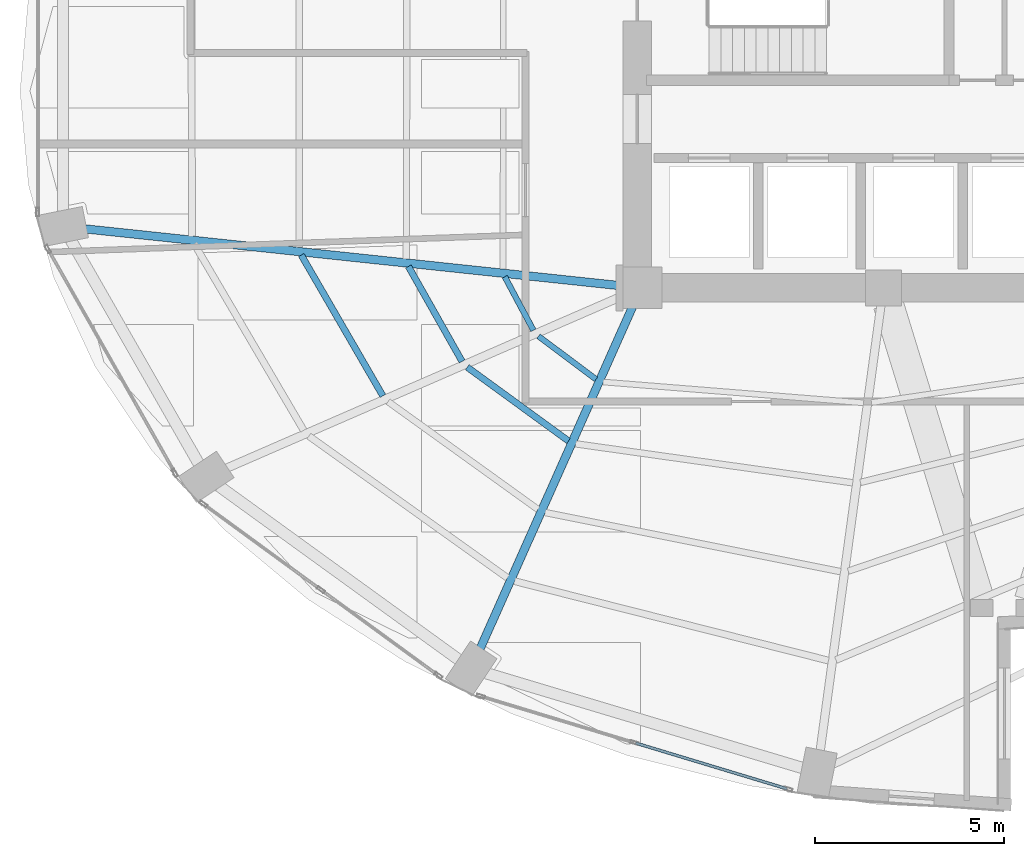
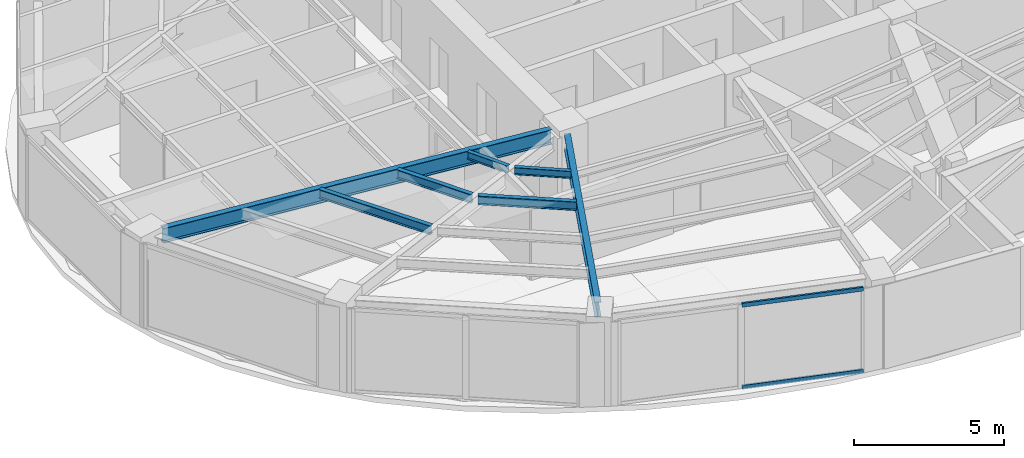
# One storey, part 4 of 23: 7 beams, 2 members, 1 element without a shape of its own.
"""IFC4 building model written with IfcOpenShell, lengths in metres."""

from ifc_helpers import new_model, si_unit, direction, frame, origin, origin_2d, place, context, subcontext, project, spatial, hollow_rectangle, i_section, extrude, material, layer, layer_set, material_profile, profile_set, type_object, element, aggregate, save


model = new_model("IFC4")

# Units and contexts
model_context = context("Model", 3, precision=1e-05, world=origin(), true_north=direction((0.0, 1.0)))
body_context = subcontext(model_context, "Body", "Model", "MODEL_VIEW")
ifc_project = project(units=[si_unit("LENGTHUNIT", "METRE"), si_unit("AREAUNIT", "SQUARE_METRE"), si_unit("VOLUMEUNIT", "CUBIC_METRE"), si_unit("PLANEANGLEUNIT", "RADIAN"), si_unit("MASSUNIT", "GRAM", prefix="KILO")], contexts=[model_context])

# Site, building, storey
site_placement = place(None, origin())
site = spatial("IfcSite", under=ifc_project, at=site_placement, CompositionType="ELEMENT")
building_placement = place(site_placement, origin())
building = spatial("IfcBuilding", under=site, at=building_placement, Name="Lazwardi Medical Tower", CompositionType="ELEMENT")
storey_placement = place(building_placement, frame((0.0, 0.0, 92.68798828125)))
storey = spatial("IfcBuildingStorey", under=building, at=storey_placement, Name="L23", CompositionType="ELEMENT", Elevation=92.68798828125)

# Beams
ifc_material_1 = material(Name="Steel S355", Category="steel")
ifc_material_profile_1 = material_profile(ifc_material_1, i_section(OverallWidth=0.219970703125, OverallDepth=0.60009765625, WebThickness=0.011962890625, FlangeThickness=0.01904296875, at=origin_2d()), Name="IPE 600")
ifc_profile_set_1 = profile_set([ifc_material_profile_1], Name="Steel S355")
beam_type_1 = type_object("IfcBeamType", Name="BM-RG-W1", PredefinedType="BEAM", material=ifc_profile_set_1)
beam_1_placement = place(storey_placement, frame((11.7138671875, 21.958984375, 3.1279296875), z_axis=(0.994413340753, -0.10555618282, 0.0), x_axis=(0.10555618282, 0.994413340753, 0.0)))
element("IfcBeam", 1, at=beam_1_placement, inside=storey, type_object=beam_type_1, Name="Radial girder RG-02 R13 L23", PredefinedType="BEAM", context=body_context, shape_type="SweptSolid", body=[
    extrude(i_section(OverallWidth=0.219970703125, OverallDepth=0.60009765625, WebThickness=0.011962890625, FlangeThickness=0.01904296875, at=origin_2d()), origin(), (0.0, 0.0, 1.0), 14.233642578125),
])
beam_2_placement = place(storey_placement, frame((22.152587890625, 10.872314453125, 3.1279296875), z_axis=(0.407165924957, 0.913354208155, 0.0), x_axis=(-0.913354208155, 0.407165924957, 0.0)))
element("IfcBeam", 2, at=beam_2_placement, inside=storey, type_object=beam_type_1, Name="Radial girder RG-02 R15 L23", PredefinedType="BEAM", context=body_context, shape_type="SweptSolid", body=[
    extrude(i_section(OverallWidth=0.219970703125, OverallDepth=0.60009765625, WebThickness=0.011962890625, FlangeThickness=0.01904296875, at=origin_2d()), origin(), (0.0, 0.0, 1.0), 9.896484375),
])
ifc_material_profile_2 = material_profile(ifc_material_1, i_section(OverallWidth=0.169921875, OverallDepth=0.360107421875, WebThickness=0.008056640625, FlangeThickness=0.0126953125, at=origin_2d()), Name="IPE 360")
ifc_profile_set_2 = profile_set([ifc_material_profile_2], Name="Steel S355")
beam_type_2 = type_object("IfcBeamType", Name="BM-SJ-02", PredefinedType="JOIST", material=ifc_profile_set_2)
beam_3_placement = place(storey_placement, frame((17.42822265625, 21.26708984375, 3.248046875), z_axis=(0.501365325212, -0.865235696602, 0.0), x_axis=(0.865235696602, 0.501365325212, 0.0)))
element("IfcBeam", 3, at=beam_3_placement, inside=storey, type_object=beam_type_2, Name="Secondary joist SJ-02 R2 B13 L23", PredefinedType="JOIST", context=body_context, shape_type="SweptSolid", body=[
    extrude(i_section(OverallWidth=0.169921875, OverallDepth=0.360107421875, WebThickness=0.008056640625, FlangeThickness=0.0126953125, at=origin_2d()), origin(), (0.0, 0.0, 1.0), 4.298828125),
])
beam_4_placement = place(storey_placement, frame((20.258056640625, 20.966064453125, 3.248046875), z_axis=(0.492026539517, -0.870580199873, 0.0), x_axis=(0.870580199873, 0.492026539517, 0.0)))
element("IfcBeam", 4, at=beam_4_placement, inside=storey, type_object=beam_type_2, Name="Secondary joist SJ-02 R3 B13 L23", PredefinedType="JOIST", context=body_context, shape_type="SweptSolid", body=[
    extrude(i_section(OverallWidth=0.169921875, OverallDepth=0.360107421875, WebThickness=0.008056640625, FlangeThickness=0.0126953125, at=origin_2d()), origin(), (0.0, 0.0, 1.0), 2.880859375),
])
beam_5_placement = place(storey_placement, frame((21.81201171875, 18.3046875, 3.248046875), z_axis=(0.808301737247, -0.588768461761, 0.0), x_axis=(0.588768461761, 0.808301737247, 0.0)))
element("IfcBeam", 5, at=beam_5_placement, inside=storey, type_object=beam_type_2, Name="Secondary joist SJ-02 R3 B14 L23", PredefinedType="JOIST", context=body_context, shape_type="SweptSolid", body=[
    extrude(i_section(OverallWidth=0.169921875, OverallDepth=0.360107421875, WebThickness=0.008056640625, FlangeThickness=0.0126953125, at=origin_2d()), origin(), (0.0, 0.0, 1.0), 3.307373046875),
])
ifc_material_profile_3 = material_profile(ifc_material_1, i_section(OverallWidth=0.14990234375, OverallDepth=0.300048828125, WebThickness=0.007080078125, FlangeThickness=0.0107421875, at=origin_2d()), Name="IPE 300")
ifc_profile_set_3 = profile_set([ifc_material_profile_3], Name="Steel S355")
beam_type_3 = type_object("IfcBeamType", Name="BM-SJ-03", PredefinedType="JOIST", material=ifc_profile_set_3)
beam_6_placement = place(storey_placement, frame((22.8037109375, 20.6943359375, 3.278076171875), z_axis=(0.471022344925, -0.882121278839, 0.0), x_axis=(0.882121278839, 0.471022344925, 0.0)))
element("IfcBeam", 6, at=beam_6_placement, inside=storey, type_object=beam_type_3, Name="Secondary joist SJ-03 R4 B13 L23", PredefinedType="JOIST", context=body_context, shape_type="SweptSolid", body=[
    extrude(i_section(OverallWidth=0.14990234375, OverallDepth=0.300048828125, WebThickness=0.007080078125, FlangeThickness=0.0107421875, at=origin_2d()), origin(), (0.0, 0.0, 1.0), 1.605224609375),
])
beam_7_placement = place(storey_placement, frame((23.693359375, 19.12255859375, 3.278076171875), z_axis=(0.800447687995, -0.599402618265, 0.0), x_axis=(0.599402618265, 0.800447687995, 0.0)))
element("IfcBeam", 7, at=beam_7_placement, inside=storey, type_object=beam_type_3, Name="Secondary joist SJ-03 R4 B14 L23", PredefinedType="JOIST", context=body_context, shape_type="SweptSolid", body=[
    extrude(i_section(OverallWidth=0.14990234375, OverallDepth=0.300048828125, WebThickness=0.007080078125, FlangeThickness=0.0107421875, at=origin_2d()), origin(), (0.0, 0.0, 1.0), 1.896728515625),
])

# Curtain wall, members
ifc_material_2 = material(Name="Anodised bronze aluminium and solar control glazing", Category="aluminium")
ifc_layer = layer(ifc_material_2, 0.195068359375)
ifc_layer_set = layer_set([ifc_layer], Name="Anodised bronze aluminium and solar control glazing")
curtain_wall_type = type_object("IfcCurtainWallType", Name="CW-SYS-03", PredefinedType="NOTDEFINED", material=ifc_layer_set)
curtain_wall_placement = place(storey_placement, origin())
curtain_wall = element("IfcCurtainWall", 8, at=curtain_wall_placement, inside=storey, type_object=curtain_wall_type, Name="L23 Unitised bronze curtain wall CW-03", PredefinedType="NOTDEFINED")
ifc_material_3 = material(Name="Anodised bronze aluminium", Category="aluminium")
ifc_material_profile_4 = material_profile(ifc_material_3, hollow_rectangle(XDim=0.074951171875, YDim=0.159912109375, WallThickness=0.00390625, at=origin_2d()), Name="ALU-TRANSOM 160x75x4")
ifc_profile_set_4 = profile_set([ifc_material_profile_4], Name="Anodised bronze aluminium")
member_type = type_object("IfcMemberType", Name="CW-TRN-01", PredefinedType="USERDEFINED", material=ifc_profile_set_4)
member_1_placement = place(storey_placement, frame((26.2666015625, 8.3759765625, 0.03759765625), z_axis=(0.957220865985, -0.289358279168, 0.0), x_axis=(0.289358279168, 0.957220865985, 0.0)))
member_1 = element("IfcMember", 9, at=member_1_placement, type_object=member_type, Name="CW-03 transom 2.1", ObjectType="TRANSOM", PredefinedType="USERDEFINED", context=body_context, shape_type="SweptSolid", body=[
    extrude(hollow_rectangle(XDim=0.074951171875, YDim=0.159912109375, WallThickness=0.00390625, at=origin_2d()), origin(), (0.0, 0.0, 1.0), 4.16552734375),
])
member_2_placement = place(storey_placement, frame((26.2666015625, 8.3759765625, 3.390625), z_axis=(0.957220865985, -0.289358279168, 0.0), x_axis=(0.289358279168, 0.957220865985, 0.0)))
member_2 = element("IfcMember", 10, at=member_2_placement, type_object=member_type, Name="CW-03 transom 2.2", ObjectType="TRANSOM", PredefinedType="USERDEFINED", context=body_context, shape_type="SweptSolid", body=[
    extrude(hollow_rectangle(XDim=0.074951171875, YDim=0.159912109375, WallThickness=0.00390625, at=origin_2d()), origin(), (0.0, 0.0, 1.0), 4.16552734375),
])
aggregate(curtain_wall, [member_1, member_2])

save(model, "model.ifc")
